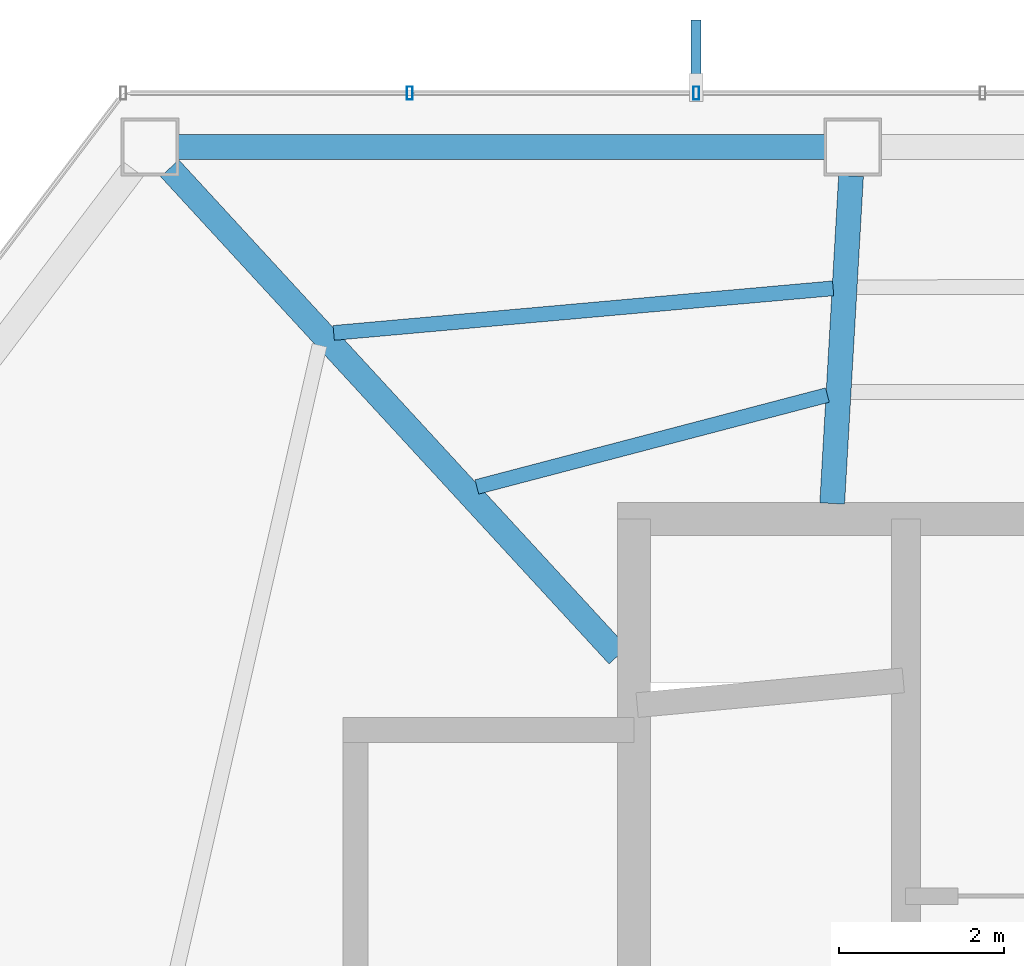
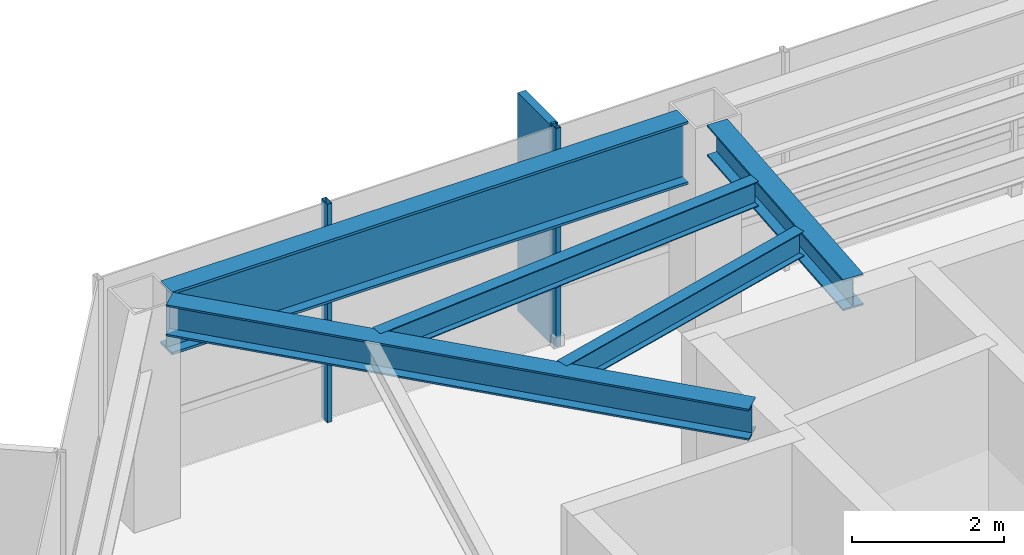
# One storey, part 11 of 28: 5 beams, 3 members, 1 element without a shape of its own.
"""IFC4 building model written with IfcOpenShell, lengths in metres."""

from ifc_helpers import new_model, si_unit, direction, frame, origin, origin_2d, place, context, subcontext, project, spatial, rectangle, hollow_rectangle, i_section, extrude, material, layer, layer_set, material_profile, profile_set, type_object, element, aggregate, save


model = new_model("IFC4")

# Units and contexts
model_context = context("Model", 3, precision=1e-05, world=origin(), true_north=direction((0.0, 1.0)))
body_context = subcontext(model_context, "Body", "Model", "MODEL_VIEW")
ifc_project = project(units=[si_unit("LENGTHUNIT", "METRE"), si_unit("AREAUNIT", "SQUARE_METRE"), si_unit("VOLUMEUNIT", "CUBIC_METRE"), si_unit("PLANEANGLEUNIT", "RADIAN"), si_unit("MASSUNIT", "GRAM", prefix="KILO")], contexts=[model_context])

# Site, building, storey
site_placement = place(None, origin())
site = spatial("IfcSite", under=ifc_project, at=site_placement, CompositionType="ELEMENT")
building_placement = place(site_placement, origin())
building = spatial("IfcBuilding", under=site, at=building_placement, Name="Zarrinselat Tower", CompositionType="ELEMENT")
storey_placement = place(building_placement, frame((0.0, 0.0, 187.0)))
storey = spatial("IfcBuildingStorey", under=building, at=storey_placement, Name="L46", CompositionType="ELEMENT", Elevation=187.0)

# Beams
ifc_material_1 = material(Name="Steel S355J2", Category="steel")
ifc_material_profile_1 = material_profile(ifc_material_1, i_section(OverallWidth=0.300048828125, OverallDepth=0.5, WebThickness=0.014404296875, FlangeThickness=0.028076171875, at=origin_2d()), Name="HEB 500")
ifc_profile_set_1 = profile_set([ifc_material_profile_1], Name="Steel S355J2")
beam_type_1 = type_object("IfcBeamType", Name="BM-HEB500", PredefinedType="BEAM", material=ifc_profile_set_1)
beam_1_placement = place(storey_placement, frame((31.0, 43.639892578125, 3.25), z_axis=(0.057485762718, 0.998346326224, 0.0), x_axis=(-0.998346326224, 0.057485762718, 0.0)))
element("IfcBeam", 1, at=beam_1_placement, inside=storey, type_object=beam_type_1, Name="L46 Radial Primary Girder RG04", PredefinedType="BEAM", context=body_context, shape_type="SweptSolid", body=[
    extrude(i_section(OverallWidth=0.300048828125, OverallDepth=0.5, WebThickness=0.014404296875, FlangeThickness=0.028076171875, at=origin_2d()), origin(), (0.0, 0.0, 1.0), 3.970947265625),
])
beam_2_placement = place(storey_placement, frame((22.983154296875, 47.696533203125, 3.25), z_axis=(0.677191159848, -0.735807130316, 0.0), x_axis=(0.735807130316, 0.677191159848, 0.0)))
element("IfcBeam", 2, at=beam_2_placement, inside=storey, type_object=beam_type_1, Name="L46 Radial Primary Girder RG05", PredefinedType="BEAM", context=body_context, shape_type="SweptSolid", body=[
    extrude(i_section(OverallWidth=0.300048828125, OverallDepth=0.5, WebThickness=0.014404296875, FlangeThickness=0.028076171875, at=origin_2d()), origin(), (0.0, 0.0, 1.0), 8.013671875),
])
ifc_material_2 = material(Name="Steel S460M", Category="steel")
ifc_material_profile_2 = material_profile(ifc_material_2, i_section(OverallWidth=0.302001953125, OverallDepth=1.008056640625, WebThickness=0.02099609375, FlangeThickness=0.0400390625, at=origin_2d()), Name="HEM 1000")
ifc_profile_set_2 = profile_set([ifc_material_profile_2], Name="Steel S460M")
beam_type_2 = type_object("IfcBeamType", Name="BM-HEM1000", PredefinedType="BEAM", material=ifc_profile_set_2)
beam_3_placement = place(storey_placement, frame((23.082763671875, 47.95556640625, 2.99609375), z_axis=(1.0, 0.0, 0.0), x_axis=(0.0, 1.0, 0.0)))
element("IfcBeam", 3, at=beam_3_placement, inside=storey, type_object=beam_type_2, Name="L46 Perimeter Spandrel Girder SP04", PredefinedType="BEAM", context=body_context, shape_type="SweptSolid", body=[
    extrude(i_section(OverallWidth=0.302001953125, OverallDepth=1.008056640625, WebThickness=0.02099609375, FlangeThickness=0.0400390625, at=origin_2d()), origin(), (0.0, 0.0, 1.0), 7.82763671875),
])
ifc_material_3 = material(Name="Steel S355J2", Category="steel")
ifc_material_profile_3 = material_profile(ifc_material_3, i_section(OverallWidth=0.179931640625, OverallDepth=0.39990234375, WebThickness=0.008544921875, FlangeThickness=0.013427734375, at=origin_2d()), Name="IPE 400")
ifc_profile_set_3 = profile_set([ifc_material_profile_3], Name="Steel S355J2")
beam_type_3 = type_object("IfcBeamType", Name="BM-IPE400", PredefinedType="JOIST", material=ifc_profile_set_3)
beam_4_placement = place(storey_placement, frame((24.9677734375, 45.7041015625, 3.300048828125), z_axis=(0.996034777035, 0.088964728611, 0.0), x_axis=(-0.088964728611, 0.996034777035, 0.0)))
element("IfcBeam", 4, at=beam_4_placement, inside=storey, type_object=beam_type_3, Name="L46 Composite Floor Joist 9-1", PredefinedType="JOIST", context=body_context, shape_type="SweptSolid", body=[
    extrude(i_section(OverallWidth=0.179931640625, OverallDepth=0.39990234375, WebThickness=0.008544921875, FlangeThickness=0.013427734375, at=origin_2d()), origin(), (0.0, 0.0, 1.0), 6.067626953125),
])
beam_5_placement = place(storey_placement, frame((26.7001953125, 43.84033203125, 3.300048828125), z_axis=(0.967312093339, 0.253588868211, 0.0), x_axis=(-0.253588868211, 0.967312093339, 0.0)))
element("IfcBeam", 5, at=beam_5_placement, inside=storey, type_object=beam_type_3, Name="L46 Composite Floor Joist 9-2", PredefinedType="JOIST", context=body_context, shape_type="SweptSolid", body=[
    extrude(i_section(OverallWidth=0.179931640625, OverallDepth=0.39990234375, WebThickness=0.008544921875, FlangeThickness=0.013427734375, at=origin_2d()), origin(), (0.0, 0.0, 1.0), 4.38525390625),
])

# Curtain wall, members
ifc_material_4 = material(Name="Extruded Aluminium Alloy EN AW-6063 T6", Category="aluminium")
ifc_layer = layer(ifc_material_4, 0.175048828125)
ifc_layer_set = layer_set([ifc_layer], Name="Extruded Aluminium Alloy EN AW-6063 T6")
curtain_wall_type = type_object("IfcCurtainWallType", Name="CWS-HTL", PredefinedType="NOTDEFINED", material=ifc_layer_set)
curtain_wall_placement = place(storey_placement, origin())
curtain_wall = element("IfcCurtainWall", 6, at=curtain_wall_placement, inside=storey, type_object=curtain_wall_type, Name="L46 Unitised Curtain Wall CW-L46-E01", PredefinedType="NOTDEFINED")
ifc_material_5 = material(Name="Extruded Aluminium Alloy EN AW-6063 T6", Category="aluminium")
ifc_material_profile_4 = material_profile(ifc_material_5, hollow_rectangle(XDim=0.070068359375, YDim=0.159912109375, WallThickness=0.00390625, at=origin_2d()), Name="RHS 160x70x4")
ifc_profile_set_4 = profile_set([ifc_material_profile_4], Name="Extruded Aluminium Alloy EN AW-6063 T6")
member_type_1 = type_object("IfcMemberType", Name="MEM-CW-MUL2", PredefinedType="MULLION", material=ifc_profile_set_4)
member_1_placement = place(storey_placement, frame((29.35400390625, 48.605712890625, 0.0), z_axis=(0.0, 0.0, 1.0), x_axis=(-1.0, 0.0, 0.0)))
member_1 = element("IfcMember", 7, at=member_1_placement, type_object=member_type_1, Name="CW-L46-E01 Mullion 9", PredefinedType="MULLION", context=body_context, shape_type="SweptSolid", body=[
    extrude(hollow_rectangle(XDim=0.070068359375, YDim=0.159912109375, WallThickness=0.00390625, at=origin_2d()), origin(), (0.0, 0.0, 1.0), 3.5),
])
member_2_placement = place(storey_placement, frame((25.8876953125, 48.605712890625, 0.0), z_axis=(0.0, 0.0, 1.0), x_axis=(-1.0, 0.0, 0.0)))
member_2 = element("IfcMember", 8, at=member_2_placement, type_object=member_type_1, Name="CW-L46-E01 Mullion 10", PredefinedType="MULLION", context=body_context, shape_type="SweptSolid", body=[
    extrude(hollow_rectangle(XDim=0.070068359375, YDim=0.159912109375, WallThickness=0.00390625, at=origin_2d()), origin(), (0.0, 0.0, 1.0), 3.5),
])
ifc_material_6 = material(Name="Honed Cream Travertine Stone", Category="masonry")
ifc_material_profile_5 = material_profile(ifc_material_6, rectangle(XDim=0.1201171875, YDim=0.85009765625, at=origin_2d()), Name="FIN 850x120")
ifc_profile_set_5 = profile_set([ifc_material_profile_5], Name="Honed Cream Travertine Stone")
member_type_2 = type_object("IfcMemberType", Name="MEM-STONE-FIN", PredefinedType="USERDEFINED", material=ifc_profile_set_5)
member_3_placement = place(storey_placement, frame((29.35400390625, 49.065673828125, 0.0), z_axis=(0.0, 0.0, 1.0), x_axis=(1.0, 0.0, 0.0)))
member_3 = element("IfcMember", 9, at=member_3_placement, type_object=member_type_2, Name="L46 Stone Shading Fin CW-L46-E01-09", ObjectType="FIN", PredefinedType="USERDEFINED", context=body_context, shape_type="SweptSolid", body=[
    extrude(rectangle(XDim=0.1201171875, YDim=0.85009765625, at=origin_2d()), origin(), (0.0, 0.0, 1.0), 3.5),
])
aggregate(curtain_wall, [member_1, member_3, member_2])

save(model, "model.ifc")
